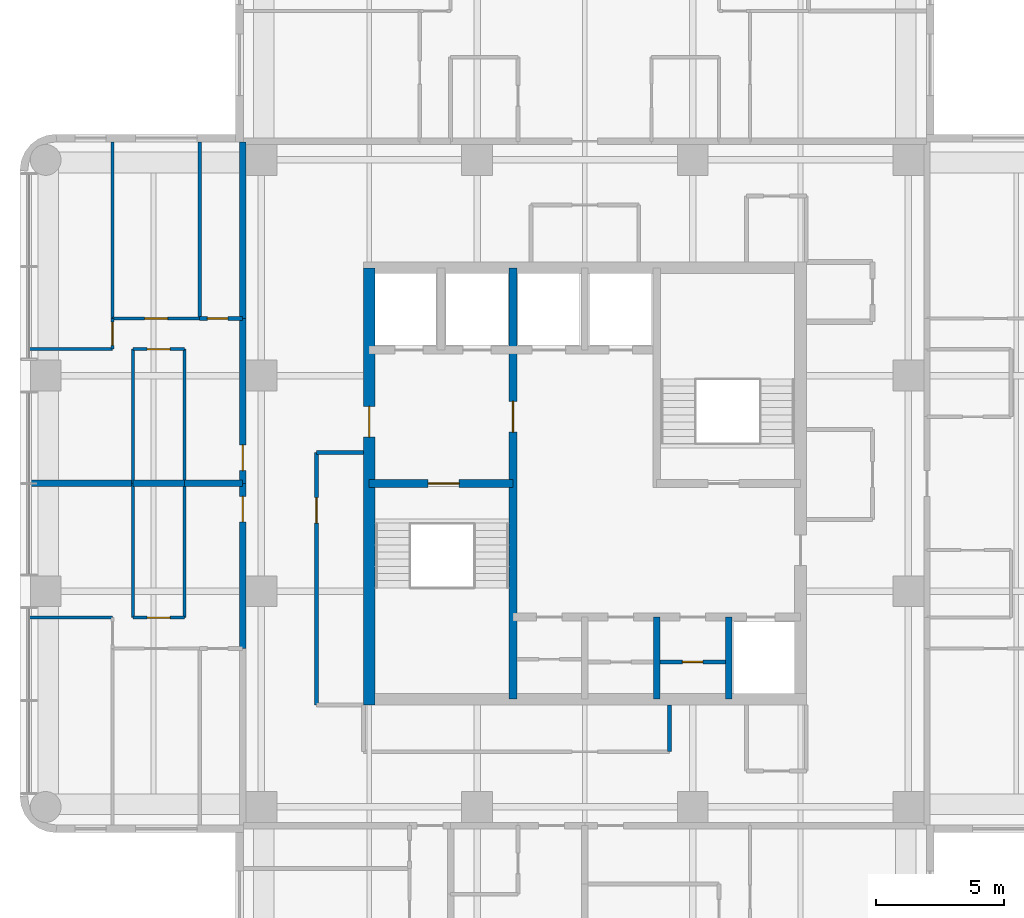
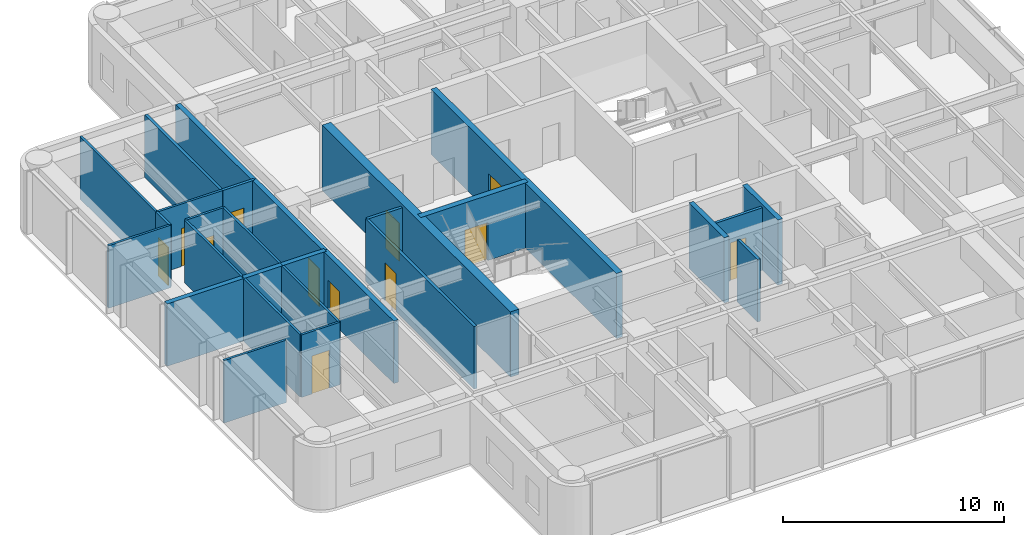
# One storey, part 5 of 10: 28 walls, 12 doors, 12 openings.
"""IFC4 building model written with IfcOpenShell, lengths in metres."""

from ifc_helpers import new_model, si_unit, direction, frame, frame_2d, origin, place, context, subcontext, project, spatial, rectangle, extrude, material, layer, layer_set, type_object, element, fill, save


model = new_model("IFC4")

# Units and contexts
model_context = context("Model", 3, precision=1e-05, world=origin(), true_north=direction((0.0, 1.0)))
body_context = subcontext(model_context, "Body", "Model", "MODEL_VIEW")
ifc_project = project(units=[si_unit("LENGTHUNIT", "METRE"), si_unit("AREAUNIT", "SQUARE_METRE"), si_unit("VOLUMEUNIT", "CUBIC_METRE"), si_unit("PLANEANGLEUNIT", "RADIAN"), si_unit("MASSUNIT", "GRAM", prefix="KILO")], contexts=[model_context])

# Site, building, storey
site_placement = place(None, origin())
site = spatial("IfcSite", under=ifc_project, at=site_placement, CompositionType="ELEMENT")
building_placement = place(site_placement, origin())
building = spatial("IfcBuilding", under=site, at=building_placement, Name="Torre Alcanfor", CompositionType="ELEMENT")
storey_placement = place(building_placement, frame((0.0, 0.0, 264.89990234375)))
storey = spatial("IfcBuildingStorey", under=building, at=storey_placement, Name="L69", CompositionType="ELEMENT", Elevation=264.89990234375)

# Wall, opening, door
ifc_material_1 = material(Name="Concrete block masonry, hollow blocks NMX-C-404 9 MPa", Category="masonry")
ifc_layer_1 = layer(ifc_material_1, 0.25)
ifc_layer_set_1 = layer_set([ifc_layer_1], Name="Apartment entrance wall 250 EI 60")
wall_type_1 = type_object("IfcWallType", Name="Apartment entrance wall 250 EI 60", PredefinedType="PARTITIONING", material=ifc_layer_set_1)
wall_1_placement = place(storey_placement, frame((16.074951171875, 22.970947265625, 0.0), z_axis=(0.0, 0.0, 1.0), x_axis=(0.0, 1.0, 0.0)))
wall_1 = element("IfcWall", 1, at=wall_1_placement, inside=storey, type_object=wall_type_1, Name="Partition L69-CORR / L69-W1-LIVING", PredefinedType="PARTITIONING", context=body_context, shape_type="SweptSolid", body=[
    extrude(rectangle(XDim=6.428955078125, YDim=0.25, at=frame_2d((3.21435546875, 0.0))), origin(), (0.0, 0.0, 1.0), 3.4501953125),
])
opening_1_placement = place(wall_1_placement, frame((4.928955078125, 0.0, 0.0)))
opening_1 = element("IfcOpeningElement", 2, at=opening_1_placement, cuts=wall_1, Name="Opening D-A1", PredefinedType="OPENING", context=body_context, shape_type="SweptSolid", body=[
    extrude(rectangle(XDim=1.0, YDim=2.10009765625, at=frame_2d((0.5, 1.050048828125))), frame((0.0, 0.135009765625, 0.0), z_axis=(0.0, -1.0, 0.0), x_axis=(1.0, 0.0, 0.0)), (0.0, 0.0, 1.0), 0.27001953125),
])
ifc_material_2 = material(Name="Galvanised steel sheet ASTM A653", Category="steel")
door_type_1 = type_object("IfcDoorType", Name="Apartment entrance door FD60 1000x2100", OperationType="SINGLE_SWING_LEFT", PredefinedType="DOOR", material=ifc_material_2)
door_1_placement = place(opening_1_placement, origin())
door_1 = element("IfcDoor", 3, at=door_1_placement, inside=storey, type_object=door_type_1, Name="Apartment entrance L69-W1", OperationType="SINGLE_SWING_RIGHT", OverallHeight=2.10009765625, OverallWidth=1.0, PredefinedType="DOOR", context=body_context, shape_type="SweptSolid", body=[
    extrude(rectangle(XDim=1.0, YDim=2.10009765625, at=frame_2d((0.5, 1.050048828125))), frame((0.0, 0.02490234375, 0.0), z_axis=(0.0, -1.0, 0.0), x_axis=(1.0, 0.0, 0.0)), (0.0, 0.0, 1.0), 0.050048828125),
])
fill(opening_1, door_1)

wall_2_placement = place(storey_placement, frame((16.074951171875, 29.39990234375, 0.0), z_axis=(0.0, 0.0, 1.0), x_axis=(0.0, 1.0, 0.0)))
wall_2 = element("IfcWall", 4, at=wall_2_placement, inside=storey, type_object=wall_type_1, Name="Partition L69-CORR / L69-W2-LIVING", PredefinedType="PARTITIONING", context=body_context, shape_type="SweptSolid", body=[
    extrude(rectangle(XDim=6.42919921875, YDim=0.25, at=frame_2d((3.214599609375, 0.0))), origin(), (0.0, 0.0, 1.0), 3.4501953125),
])
opening_2_placement = place(wall_2_placement, frame((0.5, 0.0, 0.0)))
opening_2 = element("IfcOpeningElement", 5, at=opening_2_placement, cuts=wall_2, Name="Opening D-A1", PredefinedType="OPENING", context=body_context, shape_type="SweptSolid", body=[
    extrude(rectangle(XDim=1.0, YDim=2.10009765625, at=frame_2d((0.5, 1.050048828125))), frame((0.0, 0.135009765625, 0.0), z_axis=(0.0, -1.0, 0.0), x_axis=(1.0, 0.0, 0.0)), (0.0, 0.0, 1.0), 0.27001953125),
])
door_2_placement = place(opening_2_placement, origin())
door_2 = element("IfcDoor", 6, at=door_2_placement, inside=storey, type_object=door_type_1, Name="Apartment entrance L69-W2", OperationType="SINGLE_SWING_LEFT", OverallHeight=2.10009765625, OverallWidth=1.0, PredefinedType="DOOR", context=body_context, shape_type="SweptSolid", body=[
    extrude(rectangle(XDim=1.0, YDim=2.10009765625, at=frame_2d((0.5, 1.050048828125))), frame((0.0, 0.02490234375, 0.0), z_axis=(0.0, -1.0, 0.0), x_axis=(1.0, 0.0, 0.0)), (0.0, 0.0, 1.0), 0.050048828125),
])
fill(opening_2, door_2)

# Walls
wall_3_placement = place(storey_placement, frame((16.074951171875, 35.8291015625, 0.0), z_axis=(0.0, 0.0, 1.0), x_axis=(0.0, 1.0, 0.0)))
element("IfcWall", 7, at=wall_3_placement, inside=storey, type_object=wall_type_1, Name="Partition L69-CORR / L69-W2-BATH", PredefinedType="PARTITIONING", context=body_context, shape_type="SweptSolid", body=[
    extrude(rectangle(XDim=6.870849609375, YDim=0.25, at=frame_2d((3.435546875, 0.0))), origin(), (0.0, 0.0, 1.0), 3.4501953125),
])
ifc_material_3 = material(Name="Gypsum board on steel studs", Category="steel")
ifc_layer_2 = layer(ifc_material_3, 0.1201171875)
ifc_layer_set_2 = layer_set([ifc_layer_2], Name="Apartment partition 120")
wall_type_2 = type_object("IfcWallType", Name="Apartment partition 120", PredefinedType="PARTITIONING", material=ifc_layer_set_2)
wall_4_placement = place(storey_placement, frame((11.800048828125, 29.39990234375, 0.0), z_axis=(0.0, 0.0, 1.0), x_axis=(0.0, -1.0, 0.0)))
element("IfcWall", 8, at=wall_4_placement, inside=storey, type_object=wall_type_2, Name="Partition L69-W1-KITCHEN / L69-W1-LIVING", PredefinedType="PARTITIONING", context=body_context, shape_type="SweptSolid", body=[
    extrude(rectangle(XDim=5.22900390625, YDim=0.1201171875, at=frame_2d((2.614501953125, 0.0))), origin(), (0.0, 0.0, 1.0), 3.4501953125),
])

# Wall, opening, door
wall_5_placement = place(storey_placement, frame((11.800048828125, 24.1708984375, 0.0), z_axis=(0.0, 0.0, 1.0), x_axis=(1.0, 0.0, 0.0)))
wall_5 = element("IfcWall", 9, at=wall_5_placement, inside=storey, type_object=wall_type_2, Name="Partition L69-W1-KITCHEN / L69-W1-LIVING", PredefinedType="PARTITIONING", context=body_context, shape_type="SweptSolid", body=[
    extrude(rectangle(XDim=2.0, YDim=0.1201171875, at=frame_2d((1.0, 0.0))), origin(), (0.0, 0.0, 1.0), 3.4501953125),
])
opening_3_placement = place(wall_5_placement, frame((0.550048828125, 0.0, 0.0)))
opening_3 = element("IfcOpeningElement", 10, at=opening_3_placement, cuts=wall_5, Name="Opening D-R1", PredefinedType="OPENING", context=body_context, shape_type="SweptSolid", body=[
    extrude(rectangle(XDim=0.89990234375, YDim=2.10009765625, at=frame_2d((0.449951171875, 1.050048828125))), frame((0.0, 0.070068359375, 0.0), z_axis=(0.0, -1.0, 0.0), x_axis=(1.0, 0.0, 0.0)), (0.0, 0.0, 1.0), 0.14013671875),
])
ifc_material_4 = material(Name="Timber", Category="wood")
door_type_2 = type_object("IfcDoorType", Name="Internal door 900x2100", OperationType="SINGLE_SWING_LEFT", PredefinedType="DOOR", material=ifc_material_4)
door_3_placement = place(opening_3_placement, origin())
door_3 = element("IfcDoor", 11, at=door_3_placement, inside=storey, type_object=door_type_2, Name="Door L69-W1 kitchen", OperationType="SINGLE_SWING_LEFT", OverallHeight=2.10009765625, OverallWidth=0.89990234375, PredefinedType="DOOR", context=body_context, shape_type="SweptSolid", body=[
    extrude(rectangle(XDim=0.89990234375, YDim=2.10009765625, at=frame_2d((0.449951171875, 1.050048828125))), frame((0.0, 0.02490234375, 0.0), z_axis=(0.0, -1.0, 0.0), x_axis=(1.0, 0.0, 0.0)), (0.0, 0.0, 1.0), 0.050048828125),
])
fill(opening_3, door_3)

# Walls
wall_6_placement = place(storey_placement, frame((13.800048828125, 24.1708984375, 0.0), z_axis=(0.0, 0.0, 1.0), x_axis=(0.0, 1.0, 0.0)))
element("IfcWall", 12, at=wall_6_placement, inside=storey, type_object=wall_type_2, Name="Partition L69-W1-KITCHEN / L69-W1-LIVING", PredefinedType="PARTITIONING", context=body_context, shape_type="SweptSolid", body=[
    extrude(rectangle(XDim=5.22900390625, YDim=0.1201171875, at=frame_2d((2.614501953125, 0.0))), origin(), (0.0, 0.0, 1.0), 3.4501953125),
])
wall_7_placement = place(storey_placement, frame((11.0, 24.1708984375, 0.0), z_axis=(0.0, 0.0, 1.0), x_axis=(-1.0, 0.0, 0.0)))
element("IfcWall", 13, at=wall_7_placement, inside=storey, type_object=wall_type_2, Name="Partition L69-W1-LIVING / L69-W1-MASTER", PredefinedType="PARTITIONING", context=body_context, shape_type="SweptSolid", body=[
    extrude(rectangle(XDim=3.25, YDim=0.1201171875, at=frame_2d((1.625, 0.0))), origin(), (0.0, 0.0, 1.0), 3.4501953125),
])
wall_8_placement = place(storey_placement, frame((11.800048828125, 29.39990234375, 0.0), z_axis=(0.0, 0.0, 1.0), x_axis=(0.0, 1.0, 0.0)))
element("IfcWall", 14, at=wall_8_placement, inside=storey, type_object=wall_type_2, Name="Partition L69-W2-KITCHEN / L69-W2-LIVING", PredefinedType="PARTITIONING", context=body_context, shape_type="SweptSolid", body=[
    extrude(rectangle(XDim=5.22900390625, YDim=0.1201171875, at=frame_2d((2.614501953125, 0.0))), origin(), (0.0, 0.0, 1.0), 3.4501953125),
])

# Wall, opening, door
wall_9_placement = place(storey_placement, frame((11.800048828125, 34.62890625, 0.0), z_axis=(0.0, 0.0, 1.0), x_axis=(1.0, 0.0, 0.0)))
wall_9 = element("IfcWall", 15, at=wall_9_placement, inside=storey, type_object=wall_type_2, Name="Partition L69-W2-KITCHEN / L69-W2-LIVING", PredefinedType="PARTITIONING", context=body_context, shape_type="SweptSolid", body=[
    extrude(rectangle(XDim=2.0, YDim=0.1201171875, at=frame_2d((1.0, 0.0))), origin(), (0.0, 0.0, 1.0), 3.4501953125),
])
opening_4_placement = place(wall_9_placement, frame((0.550048828125, 0.0, 0.0)))
opening_4 = element("IfcOpeningElement", 16, at=opening_4_placement, cuts=wall_9, Name="Opening D-R1", PredefinedType="OPENING", context=body_context, shape_type="SweptSolid", body=[
    extrude(rectangle(XDim=0.89990234375, YDim=2.10009765625, at=frame_2d((0.449951171875, 1.050048828125))), frame((0.0, 0.070068359375, 0.0), z_axis=(0.0, -1.0, 0.0), x_axis=(1.0, 0.0, 0.0)), (0.0, 0.0, 1.0), 0.14013671875),
])
door_4_placement = place(opening_4_placement, frame((0.89990234375, 0.0, 0.0), z_axis=(0.0, 0.0, 1.0), x_axis=(-1.0, 0.0, 0.0)))
door_4 = element("IfcDoor", 17, at=door_4_placement, inside=storey, type_object=door_type_2, Name="Door L69-W2 kitchen", OperationType="SINGLE_SWING_RIGHT", OverallHeight=2.10009765625, OverallWidth=0.89990234375, PredefinedType="DOOR", context=body_context, shape_type="SweptSolid", body=[
    extrude(rectangle(XDim=0.89990234375, YDim=2.10009765625, at=frame_2d((0.449951171875, 1.050048828125))), frame((0.0, 0.025146484375, 0.0), z_axis=(0.0, -1.0, 0.0), x_axis=(1.0, 0.0, 0.0)), (0.0, 0.0, 1.0), 0.050048828125),
])
fill(opening_4, door_4)

# Wall
wall_10_placement = place(storey_placement, frame((13.800048828125, 34.62890625, 0.0), z_axis=(0.0, 0.0, 1.0), x_axis=(0.0, -1.0, 0.0)))
element("IfcWall", 18, at=wall_10_placement, inside=storey, type_object=wall_type_2, Name="Partition L69-W2-KITCHEN / L69-W2-LIVING", PredefinedType="PARTITIONING", context=body_context, shape_type="SweptSolid", body=[
    extrude(rectangle(XDim=5.22900390625, YDim=0.1201171875, at=frame_2d((2.614501953125, 0.0))), origin(), (0.0, 0.0, 1.0), 3.4501953125),
])

# Wall, opening, door
wall_11_placement = place(storey_placement, frame((11.0, 35.8291015625, 0.0), z_axis=(0.0, 0.0, 1.0), x_axis=(1.0, 0.0, 0.0)))
wall_11 = element("IfcWall", 19, at=wall_11_placement, inside=storey, type_object=wall_type_2, Name="Partition L69-W2-LIVING / L69-W2-STUDY", PredefinedType="PARTITIONING", context=body_context, shape_type="SweptSolid", body=[
    extrude(rectangle(XDim=3.39990234375, YDim=0.1201171875, at=frame_2d((1.699951171875, 0.0))), origin(), (0.0, 0.0, 1.0), 3.4501953125),
])
opening_5_placement = place(wall_11_placement, frame((1.25, 0.0, 0.0)))
opening_5 = element("IfcOpeningElement", 20, at=opening_5_placement, cuts=wall_11, Name="Opening D-R1", PredefinedType="OPENING", context=body_context, shape_type="SweptSolid", body=[
    extrude(rectangle(XDim=0.89990234375, YDim=2.10009765625, at=frame_2d((0.449951171875, 1.050048828125))), frame((0.0, 0.070068359375, 0.0), z_axis=(0.0, -1.0, 0.0), x_axis=(1.0, 0.0, 0.0)), (0.0, 0.0, 1.0), 0.14013671875),
])
door_5_placement = place(opening_5_placement, origin())
door_5 = element("IfcDoor", 21, at=door_5_placement, inside=storey, type_object=door_type_2, Name="Door L69-W2 study", OperationType="SINGLE_SWING_LEFT", OverallHeight=2.10009765625, OverallWidth=0.89990234375, PredefinedType="DOOR", context=body_context, shape_type="SweptSolid", body=[
    extrude(rectangle(XDim=0.89990234375, YDim=2.10009765625, at=frame_2d((0.449951171875, 1.050048828125))), frame((0.0, 0.02490234375, 0.0), z_axis=(0.0, -1.0, 0.0), x_axis=(1.0, 0.0, 0.0)), (0.0, 0.0, 1.0), 0.050048828125),
])
fill(opening_5, door_5)

# Wall
wall_12_placement = place(storey_placement, frame((7.75, 34.62890625, 0.0), z_axis=(0.0, 0.0, 1.0), x_axis=(1.0, 0.0, 0.0)))
element("IfcWall", 22, at=wall_12_placement, inside=storey, type_object=wall_type_2, Name="Partition L69-W2-LIVING / L69-W2-MASTER", PredefinedType="PARTITIONING", context=body_context, shape_type="SweptSolid", body=[
    extrude(rectangle(XDim=3.25, YDim=0.1201171875, at=frame_2d((1.625, 0.0))), origin(), (0.0, 0.0, 1.0), 3.4501953125),
])

# Wall, opening, door
wall_13_placement = place(storey_placement, frame((11.0, 34.62890625, 0.0), z_axis=(0.0, 0.0, 1.0), x_axis=(0.0, 1.0, 0.0)))
wall_13 = element("IfcWall", 23, at=wall_13_placement, inside=storey, type_object=wall_type_2, Name="Partition L69-W2-LIVING / L69-W2-MASTER", PredefinedType="PARTITIONING", context=body_context, shape_type="SweptSolid", body=[
    extrude(rectangle(XDim=1.2001953125, YDim=0.1201171875, at=frame_2d((0.60009765625, 0.0))), origin(), (0.0, 0.0, 1.0), 3.4501953125),
])
opening_6_placement = place(wall_13_placement, frame((0.15087890625, 0.0, 0.0)))
opening_6 = element("IfcOpeningElement", 24, at=opening_6_placement, cuts=wall_13, Name="Opening D-R1", PredefinedType="OPENING", context=body_context, shape_type="SweptSolid", body=[
    extrude(rectangle(XDim=0.89990234375, YDim=2.10009765625, at=frame_2d((0.449951171875, 1.050048828125))), frame((0.0, 0.070068359375, 0.0), z_axis=(0.0, -1.0, 0.0), x_axis=(1.0, 0.0, 0.0)), (0.0, 0.0, 1.0), 0.14013671875),
])
door_6_placement = place(opening_6_placement, origin())
door_6 = element("IfcDoor", 25, at=door_6_placement, inside=storey, type_object=door_type_2, Name="Door L69-W2 master", OperationType="SINGLE_SWING_LEFT", OverallHeight=2.10009765625, OverallWidth=0.89990234375, PredefinedType="DOOR", context=body_context, shape_type="SweptSolid", body=[
    extrude(rectangle(XDim=0.89990234375, YDim=2.10009765625, at=frame_2d((0.449951171875, 1.050048828125))), frame((0.0, 0.02490234375, 0.0), z_axis=(0.0, -1.0, 0.0), x_axis=(1.0, 0.0, 0.0)), (0.0, 0.0, 1.0), 0.050048828125),
])
fill(opening_6, door_6)

# Wall
wall_14_placement = place(storey_placement, frame((11.0, 35.8291015625, 0.0), z_axis=(0.0, 0.0, 1.0), x_axis=(0.0, 1.0, 0.0)))
element("IfcWall", 26, at=wall_14_placement, inside=storey, type_object=wall_type_2, Name="Partition L69-W2-STUDY / L69-W2-MASTER", PredefinedType="PARTITIONING", context=body_context, shape_type="SweptSolid", body=[
    extrude(rectangle(XDim=6.870849609375, YDim=0.1201171875, at=frame_2d((3.435546875, 0.0))), origin(), (0.0, 0.0, 1.0), 3.4501953125),
])

# Wall, opening, door
ifc_material_5 = material(Name="Concrete f'c 70 MPa", Category="concrete")
ifc_layer_3 = layer(ifc_material_5, 0.300048828125)
ifc_layer_set_3 = layer_set([ifc_layer_3], Name="Core inner wall 300 f'c70")
wall_type_3 = type_object("IfcWallType", Name="Core inner wall 300 f'c70", PredefinedType="SHEAR", material=ifc_layer_set_3)
wall_15_placement = place(storey_placement, frame((26.60009765625, 21.0, 0.0), z_axis=(0.0, 0.0, 1.0), x_axis=(0.0, 1.0, 0.0)))
wall_15 = element("IfcWall", 27, at=wall_15_placement, inside=storey, type_object=wall_type_3, Name="Core wall X266 L69", PredefinedType="SHEAR", context=body_context, shape_type="SweptSolid", body=[
    extrude(rectangle(XDim=16.800048828125, YDim=0.300048828125, at=frame_2d((8.39990234375, 0.0))), origin(), (0.0, 0.0, 1.0), 3.60009765625),
])
opening_7_placement = place(wall_15_placement, frame((10.39990234375, 0.0, 0.0)))
opening_7 = element("IfcOpeningElement", 28, at=opening_7_placement, cuts=wall_15, Name="Opening D-L1", PredefinedType="OPENING", context=body_context, shape_type="SweptSolid", body=[
    extrude(rectangle(XDim=1.199951171875, YDim=2.10009765625, at=frame_2d((0.60009765625, 1.050048828125))), frame((0.0, 0.159912109375, 0.0), z_axis=(0.0, -1.0, 0.0), x_axis=(1.0, 0.0, 0.0)), (0.0, 0.0, 1.0), 0.320068359375),
])
ifc_material_6 = material(Name="Galvanised steel sheet ASTM A653", Category="steel")
door_type_3 = type_object("IfcDoorType", Name="Lobby door FD120 1200x2100", OperationType="SINGLE_SWING_LEFT", PredefinedType="DOOR", material=ifc_material_6)
door_7_placement = place(opening_7_placement, origin())
door_7 = element("IfcDoor", 29, at=door_7_placement, inside=storey, type_object=door_type_3, Name="Lift lobby door L69", OperationType="SINGLE_SWING_LEFT", OverallHeight=2.10009765625, OverallWidth=1.199951171875, PredefinedType="DOOR", context=body_context, shape_type="SweptSolid", body=[
    extrude(rectangle(XDim=1.199951171875, YDim=2.10009765625, at=frame_2d((0.60009765625, 1.050048828125))), frame((0.0, 0.02490234375, 0.0), z_axis=(0.0, -1.0, 0.0), x_axis=(1.0, 0.0, 0.0)), (0.0, 0.0, 1.0), 0.050048828125),
])
fill(opening_7, door_7)

wall_16_placement = place(storey_placement, frame((21.0, 29.39990234375, 0.0), z_axis=(0.0, 0.0, 1.0), x_axis=(1.0, 0.0, 0.0)))
wall_16 = element("IfcWall", 30, at=wall_16_placement, inside=storey, type_object=wall_type_3, Name="Core wall Y294W L69", PredefinedType="SHEAR", context=body_context, shape_type="SweptSolid", body=[
    extrude(rectangle(XDim=5.60009765625, YDim=0.300048828125, at=frame_2d((2.800048828125, 0.0))), origin(), (0.0, 0.0, 1.0), 3.60009765625),
])
opening_8_placement = place(wall_16_placement, frame((2.300048828125, 0.0, 0.0)))
opening_8 = element("IfcOpeningElement", 31, at=opening_8_placement, cuts=wall_16, Name="Opening D-S2", PredefinedType="OPENING", context=body_context, shape_type="SweptSolid", body=[
    extrude(rectangle(XDim=1.199951171875, YDim=2.10009765625, at=frame_2d((0.60009765625, 1.050048828125))), frame((0.0, 0.159912109375, 0.0), z_axis=(0.0, -1.0, 0.0), x_axis=(1.0, 0.0, 0.0)), (0.0, 0.0, 1.0), 0.320068359375),
])
ifc_material_7 = material(Name="Galvanised steel sheet ASTM A653", Category="steel")
door_type_4 = type_object("IfcDoorType", Name="Stair enclosure door FD120 1200x2100", OperationType="SINGLE_SWING_LEFT", PredefinedType="DOOR", material=ifc_material_7)
door_8_placement = place(opening_8_placement, frame((1.199951171875, 0.0, 0.0), z_axis=(0.0, 0.0, 1.0), x_axis=(-1.0, 0.0, 0.0)))
door_8 = element("IfcDoor", 32, at=door_8_placement, inside=storey, type_object=door_type_4, Name="Stair S1 door L69", OperationType="SINGLE_SWING_LEFT", OverallHeight=2.10009765625, OverallWidth=1.199951171875, PredefinedType="DOOR", context=body_context, shape_type="SweptSolid", body=[
    extrude(rectangle(XDim=1.199951171875, YDim=2.10009765625, at=frame_2d((0.599853515625, 1.050048828125))), frame((0.0, 0.025146484375, 0.0), z_axis=(0.0, -1.0, 0.0), x_axis=(1.0, 0.0, 0.0)), (0.0, 0.0, 1.0), 0.050048828125),
])
fill(opening_8, door_8)

# Walls
ifc_material_8 = material(Name="Concrete f'c 70 MPa", Category="concrete")
ifc_layer_4 = layer(ifc_material_8, 0.25)
ifc_layer_set_4 = layer_set([ifc_layer_4], Name="Core shaft wall 250 f'c70")
wall_type_4 = type_object("IfcWallType", Name="Core shaft wall 250 f'c70", PredefinedType="SHEAR", material=ifc_layer_set_4)
for number, where, z_axis, x_axis, name in (
    (33, (32.199951171875, 21.0, 0.0), (0.0, 0.0, 1.0), (0.0, 1.0, 0.0), "Core wall X322S L69"),
    (34, (35.0, 21.0, 0.0), (0.0, 0.0, 1.0), (0.0, 1.0, 0.0), "Core wall X350S L69"),
):
    element("IfcWall", number, at=place(storey_placement, frame(where, z_axis=z_axis, x_axis=x_axis)), inside=storey, type_object=wall_type_4, Name=name, PredefinedType="SHEAR", context=body_context, shape_type="SweptSolid", body=[
        extrude(rectangle(XDim=3.199951171875, YDim=0.25, at=frame_2d((1.60009765625, 0.0))), origin(), (0.0, 0.0, 1.0), 3.60009765625),
    ])

# Wall, opening, door
ifc_material_9 = material(Name="Concrete f'c 70 MPa", Category="concrete")
ifc_layer_5 = layer(ifc_material_9, 0.449951171875)
ifc_layer_set_5 = layer_set([ifc_layer_5], Name="Core wall 450 f'c70")
wall_type_5 = type_object("IfcWallType", Name="Core wall 450 f'c70", PredefinedType="SHEAR", material=ifc_layer_set_5)
wall_17_placement = place(storey_placement, frame((21.0, 37.800048828125, 0.0), z_axis=(0.0, 0.0, 1.0), x_axis=(0.0, -1.0, 0.0)))
wall_17 = element("IfcWall", 35, at=wall_17_placement, inside=storey, type_object=wall_type_5, Name="Core wall OUT-W L69", PredefinedType="SHEAR", context=body_context, shape_type="SweptSolid", body=[
    extrude(rectangle(XDim=17.025146484375, YDim=0.449951171875, at=frame_2d((8.5126953125, 0.0))), origin(), (0.0, 0.0, 1.0), 3.60009765625),
])
opening_9_placement = place(wall_17_placement, frame((5.39990234375, 0.0, 0.0)))
opening_9 = element("IfcOpeningElement", 36, at=opening_9_placement, cuts=wall_17, Name="Opening D-L1", PredefinedType="OPENING", context=body_context, shape_type="SweptSolid", body=[
    extrude(rectangle(XDim=1.199951171875, YDim=2.10009765625, at=frame_2d((0.60009765625, 1.050048828125))), frame((0.0, 0.23486328125, 0.0), z_axis=(0.0, -1.0, 0.0), x_axis=(1.0, 0.0, 0.0)), (0.0, 0.0, 1.0), 0.469970703125),
])
door_9_placement = place(opening_9_placement, origin())
door_9 = element("IfcDoor", 37, at=door_9_placement, inside=storey, type_object=door_type_3, Name="Firefighting lobby door L69", OperationType="SINGLE_SWING_RIGHT", OverallHeight=2.10009765625, OverallWidth=1.199951171875, PredefinedType="DOOR", context=body_context, shape_type="SweptSolid", body=[
    extrude(rectangle(XDim=1.199951171875, YDim=2.10009765625, at=frame_2d((0.60009765625, 1.050048828125))), frame((0.0, 0.02490234375, 0.0), z_axis=(0.0, -1.0, 0.0), x_axis=(1.0, 0.0, 0.0)), (0.0, 0.0, 1.0), 0.050048828125),
])
fill(opening_9, door_9)

# Walls
ifc_material_10 = material(Name="Concrete block masonry, hollow blocks NMX-C-404 9 MPa", Category="masonry")
ifc_layer_6 = layer(ifc_material_10, 0.25)
ifc_layer_set_6 = layer_set([ifc_layer_6], Name="Party wall 250 EI 60")
wall_type_6 = type_object("IfcWallType", Name="Party wall 250 EI 60", PredefinedType="PARTITIONING", material=ifc_layer_set_6)
wall_18_placement = place(storey_placement, frame((13.800048828125, 29.39990234375, 0.0), z_axis=(0.0, 0.0, 1.0), x_axis=(-1.0, 0.0, 0.0)))
element("IfcWall", 38, at=wall_18_placement, inside=storey, type_object=wall_type_6, Name="Partition L69-W1-KITCHEN / L69-W2-KITCHEN", PredefinedType="PARTITIONING", context=body_context, shape_type="SweptSolid", body=[
    extrude(rectangle(XDim=2.0, YDim=0.25, at=frame_2d((1.0, 0.0))), origin(), (0.0, 0.0, 1.0), 3.4501953125),
])
wall_19_placement = place(storey_placement, frame((7.75, 29.39990234375, 0.0), z_axis=(0.0, 0.0, 1.0), x_axis=(1.0, 0.0, 0.0)))
element("IfcWall", 39, at=wall_19_placement, inside=storey, type_object=wall_type_6, Name="Partition L69-W1-LIVING / L69-W2-LIVING", PredefinedType="PARTITIONING", context=body_context, shape_type="SweptSolid", body=[
    extrude(rectangle(XDim=4.050048828125, YDim=0.25, at=frame_2d((2.02490234375, 0.0))), origin(), (0.0, 0.0, 1.0), 3.4501953125),
])
wall_20_placement = place(storey_placement, frame((13.800048828125, 29.39990234375, 0.0), z_axis=(0.0, 0.0, 1.0), x_axis=(1.0, 0.0, 0.0)))
element("IfcWall", 40, at=wall_20_placement, inside=storey, type_object=wall_type_6, Name="Partition L69-W1-LIVING / L69-W2-LIVING", PredefinedType="PARTITIONING", context=body_context, shape_type="SweptSolid", body=[
    extrude(rectangle(XDim=2.27490234375, YDim=0.25, at=frame_2d((1.137451171875, 0.0))), origin(), (0.0, 0.0, 1.0), 3.4501953125),
])
ifc_material_11 = material(Name="Concrete block masonry, hollow blocks NMX-C-404 9 MPa", Category="masonry")
ifc_layer_7 = layer(ifc_material_11, 0.14990234375)
ifc_layer_set_7 = layer_set([ifc_layer_7], Name="Residents' room partition 150")
wall_type_7 = type_object("IfcWallType", Name="Residents' room partition 150", PredefinedType="PARTITIONING", material=ifc_layer_set_7)
for number, where, z_axis, x_axis, name in (
    (41, (32.699951171875, 18.949951171875, 0.0), (0.0, 0.0, 1.0), (0.0, 1.0, 0.0), "Partition L69-CORR / L69-G05"),
    (42, (20.77490234375, 30.60009765625, 0.0), (0.0, 0.0, 1.0), (-1.0, 0.0, 0.0), "Partition L69-CORR / L69-G07"),
):
    element("IfcWall", number, at=place(storey_placement, frame(where, z_axis=z_axis, x_axis=x_axis)), inside=storey, type_object=wall_type_7, Name=name, PredefinedType="PARTITIONING", context=body_context, shape_type="SweptSolid", body=[
        extrude(rectangle(XDim=1.824951171875, YDim=0.14990234375, at=frame_2d((0.91259765625, 0.0))), origin(), (0.0, 0.0, 1.0), 3.4501953125),
    ])

# Wall, opening, door
wall_21_placement = place(storey_placement, frame((18.949951171875, 30.60009765625, 0.0), z_axis=(0.0, 0.0, 1.0), x_axis=(0.0, -1.0, 0.0)))
wall_21 = element("IfcWall", 43, at=wall_21_placement, inside=storey, type_object=wall_type_7, Name="Partition L69-CORR / L69-G07", PredefinedType="PARTITIONING", context=body_context, shape_type="SweptSolid", body=[
    extrude(rectangle(XDim=9.8251953125, YDim=0.14990234375, at=frame_2d((4.91259765625, 0.0))), origin(), (0.0, 0.0, 1.0), 3.4501953125),
])
opening_10_placement = place(wall_21_placement, frame((1.75, 0.0, 0.0)))
opening_10 = element("IfcOpeningElement", 44, at=opening_10_placement, cuts=wall_21, Name="Opening D-M1", PredefinedType="OPENING", context=body_context, shape_type="SweptSolid", body=[
    extrude(rectangle(XDim=1.0, YDim=2.10009765625, at=frame_2d((0.5, 1.050048828125))), frame((0.0, 0.0849609375, 0.0), z_axis=(0.0, -1.0, 0.0), x_axis=(1.0, 0.0, 0.0)), (0.0, 0.0, 1.0), 0.169921875),
])
ifc_material_12 = material(Name="Timber", Category="wood")
door_type_5 = type_object("IfcDoorType", Name="Residents' room door 1000x2100", OperationType="SINGLE_SWING_LEFT", PredefinedType="DOOR", material=ifc_material_12)
door_10_placement = place(opening_10_placement, origin())
door_10 = element("IfcDoor", 45, at=door_10_placement, inside=storey, type_object=door_type_5, Name="Door L69-G07 residents' study", OperationType="SINGLE_SWING_LEFT", OverallHeight=2.10009765625, OverallWidth=1.0, PredefinedType="DOOR", context=body_context, shape_type="SweptSolid", body=[
    extrude(rectangle(XDim=1.0, YDim=2.10009765625, at=frame_2d((0.5, 1.050048828125))), frame((0.0, 0.02490234375, 0.0), z_axis=(0.0, -1.0, 0.0), x_axis=(1.0, 0.0, 0.0)), (0.0, 0.0, 1.0), 0.050048828125),
])
fill(opening_10, door_10)

wall_22_placement = place(storey_placement, frame((32.324951171875, 22.449951171875, 0.0), z_axis=(0.0, 0.0, 1.0), x_axis=(1.0, 0.0, 0.0)))
wall_22 = element("IfcWall", 46, at=wall_22_placement, inside=storey, type_object=wall_type_7, Name="Partition L69-PA3R / L69-PA3C", PredefinedType="PARTITIONING", context=body_context, shape_type="SweptSolid", body=[
    extrude(rectangle(XDim=2.550048828125, YDim=0.14990234375, at=frame_2d((1.27490234375, 0.0))), origin(), (0.0, 0.0, 1.0), 3.4501953125),
])
opening_11_placement = place(wall_22_placement, frame((0.875, 0.0, 0.0)))
opening_11 = element("IfcOpeningElement", 47, at=opening_11_placement, cuts=wall_22, Name="Opening D-R2", PredefinedType="OPENING", context=body_context, shape_type="SweptSolid", body=[
    extrude(rectangle(XDim=0.800048828125, YDim=2.10009765625, at=frame_2d((0.39990234375, 1.050048828125))), frame((0.0, 0.0849609375, 0.0), z_axis=(0.0, -1.0, 0.0), x_axis=(1.0, 0.0, 0.0)), (0.0, 0.0, 1.0), 0.169921875),
])
ifc_material_13 = material(Name="Timber", Category="wood")
door_type_6 = type_object("IfcDoorType", Name="Bathroom door 800x2100", OperationType="SINGLE_SWING_LEFT", PredefinedType="DOOR", material=ifc_material_13)
door_11_placement = place(opening_11_placement, frame((0.800048828125, 0.0, 0.0), z_axis=(0.0, 0.0, 1.0), x_axis=(-1.0, 0.0, 0.0)))
door_11 = element("IfcDoor", 48, at=door_11_placement, inside=storey, type_object=door_type_6, Name="Tools cupboard door L69", OperationType="SINGLE_SWING_RIGHT", OverallHeight=2.10009765625, OverallWidth=0.800048828125, PredefinedType="DOOR", context=body_context, shape_type="SweptSolid", body=[
    extrude(rectangle(XDim=0.800048828125, YDim=2.10009765625, at=frame_2d((0.400146484375, 1.050048828125))), frame((0.0, 0.025146484375, 0.0), z_axis=(0.0, -1.0, 0.0), x_axis=(1.0, 0.0, 0.0)), (0.0, 0.0, 1.0), 0.050048828125),
])
fill(opening_11, door_11)

ifc_material_14 = material(Name="Cement board on steel studs", Category="steel")
ifc_layer_8 = layer(ifc_material_14, 0.14990234375)
ifc_layer_set_8 = layer_set([ifc_layer_8], Name="Wet area partition 150")
wall_type_8 = type_object("IfcWallType", Name="Wet area partition 150", PredefinedType="PARTITIONING", material=ifc_layer_set_8)
wall_23_placement = place(storey_placement, frame((14.39990234375, 35.8291015625, 0.0), z_axis=(0.0, 0.0, 1.0), x_axis=(1.0, 0.0, 0.0)))
wall_23 = element("IfcWall", 49, at=wall_23_placement, inside=storey, type_object=wall_type_8, Name="Partition L69-W2-LIVING / L69-W2-BATH", PredefinedType="PARTITIONING", context=body_context, shape_type="SweptSolid", body=[
    extrude(rectangle(XDim=1.675048828125, YDim=0.14990234375, at=frame_2d((0.83740234375, 0.0))), origin(), (0.0, 0.0, 1.0), 3.4501953125),
])
opening_12_placement = place(wall_23_placement, frame((0.300048828125, 0.0, 0.0)))
opening_12 = element("IfcOpeningElement", 50, at=opening_12_placement, cuts=wall_23, Name="Opening D-R2", PredefinedType="OPENING", context=body_context, shape_type="SweptSolid", body=[
    extrude(rectangle(XDim=0.800048828125, YDim=2.10009765625, at=frame_2d((0.39990234375, 1.050048828125))), frame((0.0, 0.0849609375, 0.0), z_axis=(0.0, -1.0, 0.0), x_axis=(1.0, 0.0, 0.0)), (0.0, 0.0, 1.0), 0.169921875),
])
door_12_placement = place(opening_12_placement, origin())
door_12 = element("IfcDoor", 51, at=door_12_placement, inside=storey, type_object=door_type_6, Name="Door L69-W2 bath", OperationType="SINGLE_SWING_LEFT", OverallHeight=2.10009765625, OverallWidth=0.800048828125, PredefinedType="DOOR", context=body_context, shape_type="SweptSolid", body=[
    extrude(rectangle(XDim=0.800048828125, YDim=2.10009765625, at=frame_2d((0.39990234375, 1.050048828125))), frame((0.0, 0.02490234375, 0.0), z_axis=(0.0, -1.0, 0.0), x_axis=(1.0, 0.0, 0.0)), (0.0, 0.0, 1.0), 0.050048828125),
])
fill(opening_12, door_12)

# Wall
wall_24_placement = place(storey_placement, frame((14.39990234375, 35.8291015625, 0.0), z_axis=(0.0, 0.0, 1.0), x_axis=(0.0, 1.0, 0.0)))
element("IfcWall", 52, at=wall_24_placement, inside=storey, type_object=wall_type_8, Name="Partition L69-W2-BATH / L69-W2-STUDY", PredefinedType="PARTITIONING", context=body_context, shape_type="SweptSolid", body=[
    extrude(rectangle(XDim=6.870849609375, YDim=0.14990234375, at=frame_2d((3.435546875, 0.0))), origin(), (0.0, 0.0, 1.0), 3.4501953125),
])

save(model, "model.ifc")
